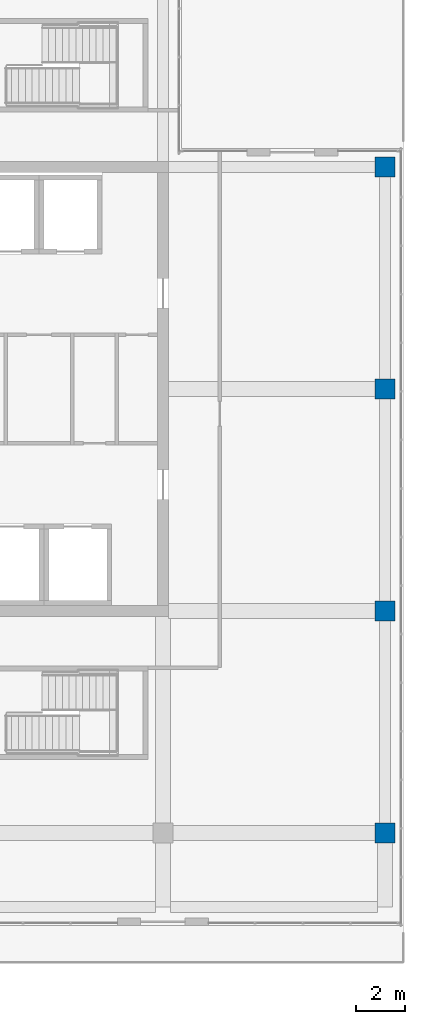
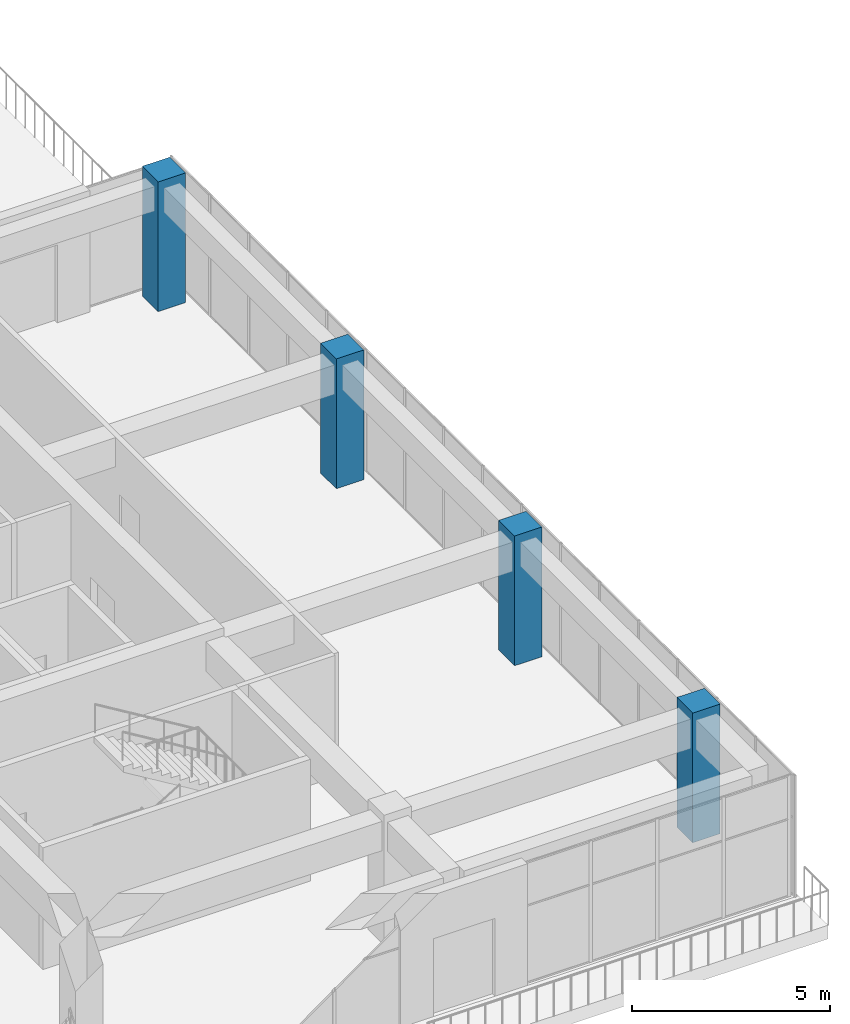
# One storey, part 4 of 81: 4 columns.
"""IFC4 building model written with IfcOpenShell, lengths in metres."""

from ifc_helpers import new_model, si_unit, direction, frame, origin, origin_2d, place, context, subcontext, project, spatial, rectangle, extrude, material, material_profile, profile_set, type_object, element, save


model = new_model("IFC4")

# Units and contexts
model_context = context("Model", 3, precision=1e-05, world=origin(), true_north=direction((0.0, 1.0)))
body_context = subcontext(model_context, "Body", "Model", "MODEL_VIEW")
ifc_project = project(units=[si_unit("LENGTHUNIT", "METRE"), si_unit("AREAUNIT", "SQUARE_METRE"), si_unit("VOLUMEUNIT", "CUBIC_METRE"), si_unit("PLANEANGLEUNIT", "RADIAN"), si_unit("MASSUNIT", "GRAM", prefix="KILO")], contexts=[model_context])

# Site, building, storey
site_placement = place(None, origin())
site = spatial("IfcSite", under=ifc_project, at=site_placement, CompositionType="ELEMENT")
building_placement = place(site_placement, origin())
building = spatial("IfcBuilding", under=site, at=building_placement, Name="Tuart Plaza Theatre", CompositionType="ELEMENT")
storey_placement = place(building_placement, frame((0.0, 0.0, 17.5)))
storey = spatial("IfcBuildingStorey", under=building, at=storey_placement, Name="L04", CompositionType="ELEMENT", Elevation=17.5)

# Columns
ifc_material = material(Name="Concrete N50 (50 MPa)", Category="concrete")
ifc_material_profile = material_profile(ifc_material, rectangle(XDim=0.800048828125, YDim=0.800048828125, at=origin_2d()), Name="COLUMN 800x800 Concrete N50 (50 MPa)")
ifc_profile_set = profile_set([ifc_material_profile], Name="Concrete N50 (50 MPa)")
column_type = type_object("IfcColumnType", Name="COLUMN 800x800 Concrete N50 (50 MPa)", PredefinedType="COLUMN", material=ifc_profile_set)
for number, where, z_axis, x_axis, name in (
    (1, (150.0, 56.0, 0.0), (0.0, 0.0, 1.0), (1.0, 0.0, 0.0), "C61"),
    (2, (150.0, 65.0, 0.0), (0.0, 0.0, 1.0), (1.0, 0.0, 0.0), "C62"),
    (3, (150.0, 74.0, 0.0), (0.0, 0.0, 1.0), (1.0, 0.0, 0.0), "C63"),
    (4, (150.0, 83.0, 0.0), (0.0, 0.0, 1.0), (1.0, 0.0, 0.0), "C64"),
):
    element("IfcColumn", number, at=place(storey_placement, frame(where, z_axis=z_axis, x_axis=x_axis)), inside=storey, type_object=column_type, Name=name, PredefinedType="COLUMN", context=body_context, shape_type="SweptSolid", body=[
        extrude(rectangle(XDim=0.800048828125, YDim=0.800048828125, at=origin_2d()), origin(), (0.0, 0.0, 1.0), 4.0),
    ])

save(model, "model.ifc")
